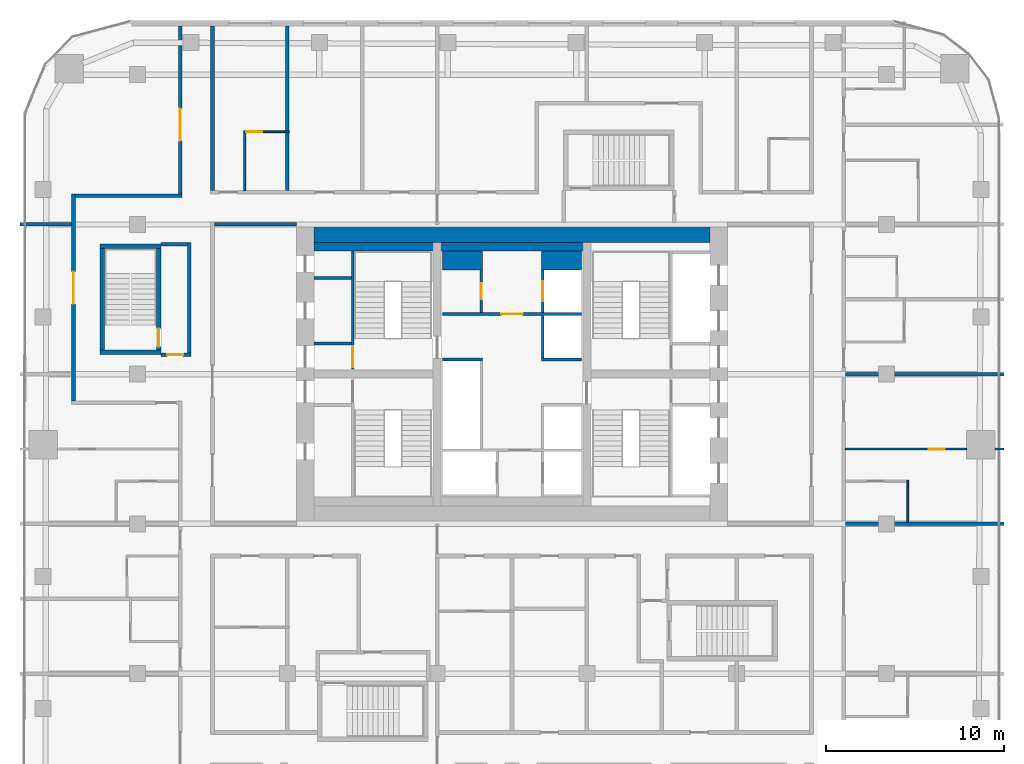
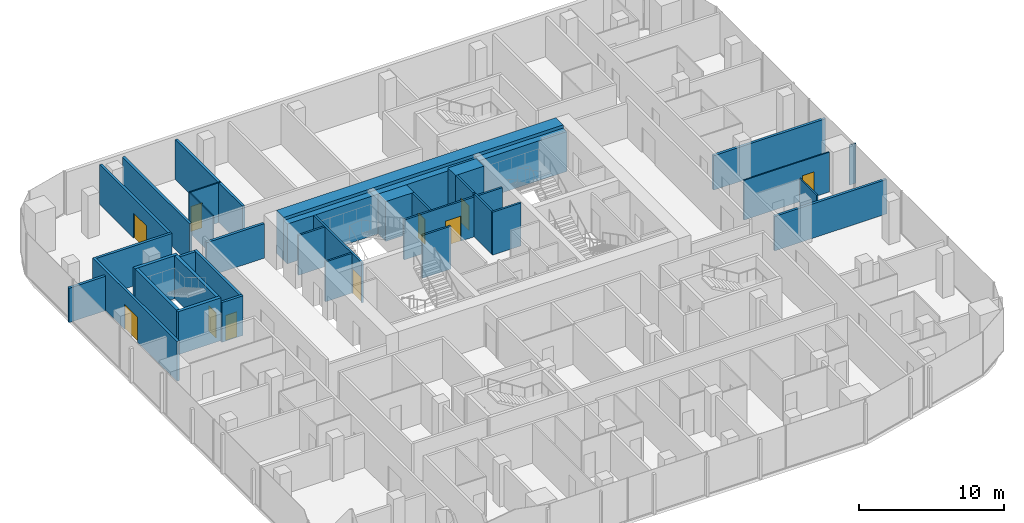
# One storey, part 18 of 23: 34 walls, 10 doors, 10 openings.
"""IFC4 building model written with IfcOpenShell, lengths in metres."""

from ifc_helpers import new_model, si_unit, direction, frame, frame_2d, origin, place, context, subcontext, project, spatial, rectangle, extrude, material, layer, layer_set, type_object, element, fill, save


model = new_model("IFC4")

# Units and contexts
model_context = context("Model", 3, precision=1e-05, world=origin(), true_north=direction((0.0, 1.0)))
body_context = subcontext(model_context, "Body", "Model", "MODEL_VIEW")
ifc_project = project(units=[si_unit("LENGTHUNIT", "METRE"), si_unit("AREAUNIT", "SQUARE_METRE"), si_unit("VOLUMEUNIT", "CUBIC_METRE"), si_unit("PLANEANGLEUNIT", "RADIAN"), si_unit("MASSUNIT", "GRAM", prefix="KILO")], contexts=[model_context])

# Site, building, storey
site_placement = place(None, origin())
site = spatial("IfcSite", under=ifc_project, at=site_placement, CompositionType="ELEMENT")
building_placement = place(site_placement, origin())
building = spatial("IfcBuilding", under=site, at=building_placement, Name="Marenta Gate Hotel Tower", CompositionType="ELEMENT")
storey_placement = place(building_placement, frame((0.0, 0.0, 162.5)))
storey = spatial("IfcBuildingStorey", under=building, at=storey_placement, Name="L38", CompositionType="ELEMENT", Elevation=162.5)

# Walls
ifc_material_1 = material(Name="Concrete blockwork", Category="masonry")
ifc_layer_1 = layer(ifc_material_1, 0.199951171875)
ifc_layer_set_1 = layer_set([ifc_layer_1], Name="Concrete blockwork")
wall_type_1 = type_object("IfcWallType", Name="Core boundary wall 200 REI 180", PredefinedType="PARTITIONING", material=ifc_layer_set_1)
wall_1_placement = place(storey_placement, frame((-16.699951171875, 16.800048828125, 0.0), z_axis=(0.0, 0.0, 1.0), x_axis=(1.0, 0.0, 0.0)))
element("IfcWall", 1, at=wall_1_placement, inside=storey, type_object=wall_type_1, Name="L38-CP-EW-WN", PredefinedType="PARTITIONING", context=body_context, shape_type="SweptSolid", body=[
    extrude(rectangle(XDim=4.599853515625, YDim=0.199951171875, at=frame_2d((2.2998046875, 0.0))), origin(), (0.0, 0.0, 1.0), 2.889892578125),
])
ifc_material_2 = material(Name="Concrete C40", Category="concrete")
ifc_layer_2 = layer(ifc_material_2, 0.5)
ifc_layer_set_2 = layer_set([ifc_layer_2], Name="Concrete C40")
wall_type_2 = type_object("IfcWallType", Name="Core lining wall 500 REI 180", PredefinedType="PARTITIONING", material=ifc_layer_set_2)
wall_2_placement = place(storey_placement, frame((-11.10009765625, 15.550048828125, 0.0), z_axis=(0.0, 0.0, 1.0), x_axis=(1.0, 0.0, 0.0)))
element("IfcWall", 2, at=wall_2_placement, inside=storey, type_object=wall_type_2, Name="L38-CP-LN-N", PredefinedType="PARTITIONING", context=body_context, shape_type="SweptSolid", body=[
    extrude(rectangle(XDim=22.2001953125, YDim=0.5, at=frame_2d((11.10009765625, 0.0))), origin(), (0.0, 0.0, 1.0), 3.340087890625),
])

# Wall, opening, door
ifc_material_3 = material(Name="Concrete blockwork", Category="masonry")
ifc_layer_3 = layer(ifc_material_3, 0.14990234375)
ifc_layer_set_3 = layer_set([ifc_layer_3], Name="Concrete blockwork")
wall_type_3 = type_object("IfcWallType", Name="Core lobby partition 150 REI 180", PredefinedType="PARTITIONING", material=ifc_layer_set_3)
wall_3_placement = place(storey_placement, frame((-3.89990234375, 11.77490234375, 0.0), z_axis=(0.0, 0.0, 1.0), x_axis=(1.0, 0.0, 0.0)))
wall_3 = element("IfcWall", 3, at=wall_3_placement, inside=storey, type_object=wall_type_3, Name="L38-CP-CW-N", PredefinedType="PARTITIONING", context=body_context, shape_type="SweptSolid", body=[
    extrude(rectangle(XDim=7.7998046875, YDim=0.14990234375, at=frame_2d((3.89990234375, 0.0))), origin(), (0.0, 0.0, 1.0), 3.340087890625),
])
opening_1_placement = place(wall_3_placement, frame((3.300048828125, 0.0, 0.0)))
opening_1 = element("IfcOpeningElement", 4, at=opening_1_placement, cuts=wall_3, Name="Opening FD-FFN", PredefinedType="OPENING", context=body_context, shape_type="SweptSolid", body=[
    extrude(rectangle(XDim=1.199951171875, YDim=2.10009765625, at=frame_2d((0.60009765625, 1.050048828125))), frame((0.0, 0.074951171875, 0.0), z_axis=(0.0, -1.0, 0.0), x_axis=(1.0, 0.0, 0.0)), (0.0, 0.0, 1.0), 0.14990234375),
])
ifc_material_4 = material(Name="Steel", Category="steel")
door_type_1 = type_object("IfcDoorType", Name="Core lobby door 1200x2100 FD60", OperationType="SINGLE_SWING_LEFT", PredefinedType="DOOR", material=ifc_material_4)
door_1_placement = place(opening_1_placement, origin())
door_1 = element("IfcDoor", 5, at=door_1_placement, inside=storey, type_object=door_type_1, Name="FD-FFN", OperationType="SINGLE_SWING_LEFT", OverallHeight=2.10009765625, OverallWidth=1.199951171875, PredefinedType="DOOR", context=body_context, shape_type="SweptSolid", body=[
    extrude(rectangle(XDim=1.199951171875, YDim=2.10009765625, at=frame_2d((0.60009765625, 1.050048828125))), frame((0.0, 0.02490234375, 0.0), z_axis=(0.0, -1.0, 0.0), x_axis=(1.0, 0.0, 0.0)), (0.0, 0.0, 1.0), 0.050048828125),
])
fill(opening_1, door_1)

# Walls
ifc_material_5 = material(Name="Concrete blockwork", Category="masonry")
ifc_layer_4 = layer(ifc_material_5, 1.050048828125)
ifc_layer_set_4 = layer_set([ifc_layer_4], Name="Concrete blockwork")
wall_type_4 = type_object("IfcWallType", Name="Core room partition 1050 REI 180", PredefinedType="PARTITIONING", material=ifc_layer_set_4)
wall_4_placement = place(storey_placement, frame((-3.89990234375, 14.77490234375, 0.0), z_axis=(0.0, 0.0, 1.0), x_axis=(1.0, 0.0, 0.0)))
element("IfcWall", 6, at=wall_4_placement, inside=storey, type_object=wall_type_4, Name="L38-CP-CW-W-riser-N", PredefinedType="PARTITIONING", context=body_context, shape_type="SweptSolid", body=[
    extrude(rectangle(XDim=2.25, YDim=1.050048828125, at=frame_2d((1.125, 0.0))), origin(), (0.0, 0.0, 1.0), 3.340087890625),
])
ifc_material_6 = material(Name="Concrete blockwork", Category="masonry")
ifc_layer_5 = layer(ifc_material_6, 0.14990234375)
ifc_layer_set_5 = layer_set([ifc_layer_5], Name="Concrete blockwork")
wall_type_5 = type_object("IfcWallType", Name="Core room partition 150 REI 180", PredefinedType="PARTITIONING", material=ifc_layer_set_5)
for number, where, z_axis, x_axis, name in (
    (7, (-11.10009765625, 10.125, 0.0), (0.0, 0.0, 1.0), (1.0, 0.0, 0.0), "L38-CP-SW-WN-2"),
    (8, (-11.10009765625, 13.800048828125, 0.0), (0.0, 0.0, 1.0), (1.0, 0.0, 0.0), "L38-CP-RW-WN-1"),
):
    element("IfcWall", number, at=place(storey_placement, frame(where, z_axis=z_axis, x_axis=x_axis)), inside=storey, type_object=wall_type_5, Name=name, PredefinedType="PARTITIONING", context=body_context, shape_type="SweptSolid", body=[
        extrude(rectangle(XDim=2.10009765625, YDim=0.14990234375, at=frame_2d((1.050048828125, 0.0))), origin(), (0.0, 0.0, 1.0), 3.340087890625),
    ])

# Wall, opening, door
wall_5_placement = place(storey_placement, frame((-1.72509765625, 11.85009765625, 0.0), z_axis=(0.0, 0.0, 1.0), x_axis=(0.0, 1.0, 0.0)))
wall_5 = element("IfcWall", 9, at=wall_5_placement, inside=storey, type_object=wall_type_5, Name="L38-CP-CW-W-riser-front", PredefinedType="PARTITIONING", context=body_context, shape_type="SweptSolid", body=[
    extrude(rectangle(XDim=2.39990234375, YDim=0.14990234375, at=frame_2d((1.199951171875, 0.0))), origin(), (0.0, 0.0, 1.0), 3.340087890625),
])
opening_2_placement = place(wall_5_placement, frame((0.75, 0.0, 0.0)))
opening_2 = element("IfcOpeningElement", 10, at=opening_2_placement, cuts=wall_5, Name="Opening RD-CRISER", PredefinedType="OPENING", context=body_context, shape_type="SweptSolid", body=[
    extrude(rectangle(XDim=0.89990234375, YDim=2.10009765625, at=frame_2d((0.449951171875, 1.050048828125))), frame((0.0, 0.074951171875, 0.0), z_axis=(0.0, -1.0, 0.0), x_axis=(1.0, 0.0, 0.0)), (0.0, 0.0, 1.0), 0.14990234375),
])
ifc_material_7 = material(Name="Steel", Category="steel")
door_type_2 = type_object("IfcDoorType", Name="Core riser door 900x2100 FD60", OperationType="SINGLE_SWING_LEFT", PredefinedType="DOOR", material=ifc_material_7)
door_2_placement = place(opening_2_placement, origin())
door_2 = element("IfcDoor", 11, at=door_2_placement, inside=storey, type_object=door_type_2, Name="RD-CRISER", OperationType="SINGLE_SWING_LEFT", OverallHeight=2.10009765625, OverallWidth=0.89990234375, PredefinedType="DOOR", context=body_context, shape_type="SweptSolid", body=[
    extrude(rectangle(XDim=0.89990234375, YDim=2.10009765625, at=frame_2d((0.449951171875, 1.050048828125))), frame((0.0, 0.02490234375, 0.0), z_axis=(0.0, -1.0, 0.0), x_axis=(1.0, 0.0, 0.0)), (0.0, 0.0, 1.0), 0.050048828125),
])
fill(opening_2, door_2)

# Walls
ifc_material_8 = material(Name="Concrete C40", Category="concrete")
ifc_layer_6 = layer(ifc_material_8, 1.050048828125)
ifc_layer_set_6 = layer_set([ifc_layer_6], Name="Concrete C40")
wall_type_6 = type_object("IfcWallType", Name="Core shaft wall 1050 REI 180", PredefinedType="SHEAR", material=ifc_layer_set_6)
wall_6_placement = place(storey_placement, frame((1.64990234375, 14.77490234375, 0.0), z_axis=(0.0, 0.0, 1.0), x_axis=(1.0, 0.0, 0.0)))
element("IfcWall", 12, at=wall_6_placement, inside=storey, type_object=wall_type_6, Name="L38-SHF-CE-N-top", PredefinedType="SHEAR", context=body_context, shape_type="SweptSolid", body=[
    extrude(rectangle(XDim=2.25, YDim=1.050048828125, at=frame_2d((1.125, 0.0))), origin(), (0.0, 0.0, 1.0), 3.60009765625),
])
ifc_material_9 = material(Name="Concrete C40", Category="concrete")
ifc_layer_7 = layer(ifc_material_9, 0.14990234375)
ifc_layer_set_7 = layer_set([ifc_layer_7], Name="Concrete C40")
wall_type_7 = type_object("IfcWallType", Name="Core shaft wall 150 REI 180", PredefinedType="SHEAR", material=ifc_layer_set_7)
wall_7_placement = place(storey_placement, frame((-3.89990234375, 9.22509765625, 0.0), z_axis=(0.0, 0.0, 1.0), x_axis=(1.0, 0.0, 0.0)))
element("IfcWall", 13, at=wall_7_placement, inside=storey, type_object=wall_type_7, Name="L38-SHF-CW-W-sep", PredefinedType="SHEAR", context=body_context, shape_type="SweptSolid", body=[
    extrude(rectangle(XDim=2.25, YDim=0.14990234375, at=frame_2d((1.125, 0.0))), origin(), (0.0, 0.0, 1.0), 3.60009765625),
])

# Wall, opening, door
wall_8_placement = place(storey_placement, frame((1.72509765625, 11.85009765625, 0.0), z_axis=(0.0, 0.0, 1.0), x_axis=(0.0, 1.0, 0.0)))
wall_8 = element("IfcWall", 14, at=wall_8_placement, inside=storey, type_object=wall_type_7, Name="L38-SHF-CE-N-front2", PredefinedType="SHEAR", context=body_context, shape_type="SweptSolid", body=[
    extrude(rectangle(XDim=2.39990234375, YDim=0.14990234375, at=frame_2d((1.199951171875, 0.0))), origin(), (0.0, 0.0, 1.0), 3.60009765625),
])
opening_3_placement = place(wall_8_placement, frame((0.64990234375, 0.0, 0.0)))
opening_3 = element("IfcOpeningElement", 15, at=opening_3_placement, cuts=wall_8, Name="Opening LD-FF2", PredefinedType="OPENING", context=body_context, shape_type="SweptSolid", body=[
    extrude(rectangle(XDim=1.10009765625, YDim=2.10009765625, at=frame_2d((0.550048828125, 1.050048828125))), frame((0.0, 0.074951171875, 0.0), z_axis=(0.0, -1.0, 0.0), x_axis=(1.0, 0.0, 0.0)), (0.0, 0.0, 1.0), 0.14990234375),
])
ifc_material_10 = material(Name="Steel", Category="steel")
door_type_3 = type_object("IfcDoorType", Name="Core lift landing door 1100x2100 E 60", OperationType="SLIDING_TO_LEFT", PredefinedType="DOOR", material=ifc_material_10)
door_3_placement = place(opening_3_placement, origin())
door_3 = element("IfcDoor", 16, at=door_3_placement, inside=storey, type_object=door_type_3, Name="LD-FF2", OperationType="SLIDING_TO_LEFT", OverallHeight=2.10009765625, OverallWidth=1.10009765625, PredefinedType="DOOR", context=body_context, shape_type="SweptSolid", body=[
    extrude(rectangle(XDim=1.10009765625, YDim=2.10009765625, at=frame_2d((0.550048828125, 1.050048828125))), frame((0.0, 0.02490234375, 0.0), z_axis=(0.0, -1.0, 0.0), x_axis=(1.0, 0.0, 0.0)), (0.0, 0.0, 1.0), 0.050048828125),
])
fill(opening_3, door_3)

# Walls
wall_9_placement = place(storey_placement, frame((1.64990234375, 9.22509765625, 0.0), z_axis=(0.0, 0.0, 1.0), x_axis=(1.0, 0.0, 0.0)))
element("IfcWall", 17, at=wall_9_placement, inside=storey, type_object=wall_type_7, Name="L38-SHF-CE-sep2", PredefinedType="SHEAR", context=body_context, shape_type="SweptSolid", body=[
    extrude(rectangle(XDim=2.25, YDim=0.14990234375, at=frame_2d((1.125, 0.0))), origin(), (0.0, 0.0, 1.0), 3.60009765625),
])
wall_10_placement = place(storey_placement, frame((1.72509765625, 9.300048828125, 0.0), z_axis=(0.0, 0.0, 1.0), x_axis=(0.0, 1.0, 0.0)))
element("IfcWall", 18, at=wall_10_placement, inside=storey, type_object=wall_type_7, Name="L38-SHF-CE-front-2", PredefinedType="SHEAR", context=body_context, shape_type="SweptSolid", body=[
    extrude(rectangle(XDim=2.39990234375, YDim=0.14990234375, at=frame_2d((1.199951171875, 0.0))), origin(), (0.0, 0.0, 1.0), 3.60009765625),
])

# Wall, opening, door
ifc_material_11 = material(Name="Concrete C40", Category="concrete")
ifc_layer_8 = layer(ifc_material_11, 0.14990234375)
ifc_layer_set_8 = layer_set([ifc_layer_8], Name="Concrete C40")
wall_type_8 = type_object("IfcWallType", Name="Core stair enclosure wall 150 REI 180", PredefinedType="SHEAR", material=ifc_layer_set_8)
wall_11_placement = place(storey_placement, frame((-8.925048828125, 8.699951171875, 0.0), z_axis=(0.0, 0.0, 1.0), x_axis=(0.0, 1.0, 0.0)))
wall_11 = element("IfcWall", 19, at=wall_11_placement, inside=storey, type_object=wall_type_8, Name="L38-SHF-SW-WN-3", PredefinedType="SHEAR", context=body_context, shape_type="SweptSolid", body=[
    extrude(rectangle(XDim=6.60009765625, YDim=0.14990234375, at=frame_2d((3.300048828125, 0.0))), origin(), (0.0, 0.0, 1.0), 3.340087890625),
])
opening_4_placement = place(wall_11_placement, frame((0.074951171875, 0.0, 0.0)))
opening_4 = element("IfcOpeningElement", 20, at=opening_4_placement, cuts=wall_11, Name="Opening SD-WN", PredefinedType="OPENING", context=body_context, shape_type="SweptSolid", body=[
    extrude(rectangle(XDim=1.199951171875, YDim=2.10009765625, at=frame_2d((0.60009765625, 1.050048828125))), frame((0.0, 0.074951171875, 0.0), z_axis=(0.0, -1.0, 0.0), x_axis=(1.0, 0.0, 0.0)), (0.0, 0.0, 1.0), 0.14990234375),
])
ifc_material_12 = material(Name="Steel", Category="steel")
door_type_4 = type_object("IfcDoorType", Name="Core stair door 1200x2100 FD60", OperationType="SINGLE_SWING_LEFT", PredefinedType="DOOR", material=ifc_material_12)
door_4_placement = place(opening_4_placement, origin())
door_4 = element("IfcDoor", 21, at=door_4_placement, inside=storey, type_object=door_type_4, Name="SD-WN", OperationType="SINGLE_SWING_LEFT", OverallHeight=2.10009765625, OverallWidth=1.199951171875, PredefinedType="DOOR", context=body_context, shape_type="SweptSolid", body=[
    extrude(rectangle(XDim=1.199951171875, YDim=2.10009765625, at=frame_2d((0.60009765625, 1.050048828125))), frame((0.0, 0.02490234375, 0.0), z_axis=(0.0, -1.0, 0.0), x_axis=(1.0, 0.0, 0.0)), (0.0, 0.0, 1.0), 0.050048828125),
])
fill(opening_4, door_4)

# Walls
ifc_material_13 = material(Name="Concrete C70", Category="concrete")
ifc_layer_9 = layer(ifc_material_13, 1.0)
ifc_layer_set_9 = layer_set([ifc_layer_9], Name="Concrete C70")
wall_type_9 = type_object("IfcWallType", Name="Core wall 1000 C70", PredefinedType="SHEAR", material=ifc_layer_set_9)
wall_12_placement = place(storey_placement, frame((-11.10009765625, 16.300048828125, 0.0), z_axis=(0.0, 0.0, 1.0), x_axis=(1.0, 0.0, 0.0)))
element("IfcWall", 22, at=wall_12_placement, inside=storey, type_object=wall_type_9, Name="L38-CORE-N", PredefinedType="SHEAR", context=body_context, shape_type="SweptSolid", body=[
    extrude(rectangle(XDim=22.2001953125, YDim=1.0, at=frame_2d((11.10009765625, 0.0))), origin(), (0.0, 0.0, 1.0), 3.60009765625),
])
ifc_material_14 = material(Name="Concrete C40", Category="concrete")
ifc_layer_10 = layer(ifc_material_14, 0.25)
ifc_layer_set_10 = layer_set([ifc_layer_10], Name="Concrete C40")
wall_type_10 = type_object("IfcWallType", Name="Remote stair enclosure wall 250 REI 180", PredefinedType="SHEAR", material=ifc_layer_set_10)
for number, where, z_axis, x_axis, name in (
    (23, (-23.10009765625, 9.625, 0.10009765625), (0.0, 0.0, 1.0), (1.0, 0.0, 0.0), "L38-RS-Z1-3-W1"),
    (24, (-23.10009765625, 15.574951171875, 0.10009765625), (0.0, 0.0, 1.0), (1.0, 0.0, 0.0), "L38-RS-Z1-3-W2"),
):
    element("IfcWall", number, at=place(storey_placement, frame(where, z_axis=z_axis, x_axis=x_axis)), inside=storey, type_object=wall_type_10, Name=name, PredefinedType="SHEAR", context=body_context, shape_type="SweptSolid", body=[
        extrude(rectangle(XDim=3.400146484375, YDim=0.25, at=frame_2d((1.7001953125, 0.0))), origin(), (0.0, 0.0, 1.0), 3.599853515625),
    ])
wall_13_placement = place(storey_placement, frame((-22.97509765625, 9.75, 0.10009765625), z_axis=(0.0, 0.0, 1.0), x_axis=(0.0, 1.0, 0.0)))
element("IfcWall", 25, at=wall_13_placement, inside=storey, type_object=wall_type_10, Name="L38-RS-Z1-3-W3", PredefinedType="SHEAR", context=body_context, shape_type="SweptSolid", body=[
    extrude(rectangle(XDim=5.699951171875, YDim=0.25, at=frame_2d((2.85009765625, 0.0))), origin(), (0.0, 0.0, 1.0), 3.599853515625),
])

# Wall, opening, door
wall_14_placement = place(storey_placement, frame((-19.824951171875, 9.75, 0.10009765625), z_axis=(0.0, 0.0, 1.0), x_axis=(0.0, 1.0, 0.0)))
wall_14 = element("IfcWall", 26, at=wall_14_placement, inside=storey, type_object=wall_type_10, Name="L38-RS-Z1-3-W4", PredefinedType="SHEAR", context=body_context, shape_type="SweptSolid", body=[
    extrude(rectangle(XDim=5.699951171875, YDim=0.25, at=frame_2d((2.85009765625, 0.0))), origin(), (0.0, 0.0, 1.0), 3.599853515625),
])
opening_5_placement = place(wall_14_placement, frame((0.199951171875, 0.0, 0.0)))
opening_5 = element("IfcOpeningElement", 27, at=opening_5_placement, cuts=wall_14, Name="Opening VD", PredefinedType="OPENING", context=body_context, shape_type="SweptSolid", body=[
    extrude(rectangle(XDim=1.0, YDim=2.10009765625, at=frame_2d((0.5, 1.050048828125))), frame((0.0, 0.125, 0.0), z_axis=(0.0, -1.0, 0.0), x_axis=(1.0, 0.0, 0.0)), (0.0, 0.0, 1.0), 0.25),
])
ifc_material_15 = material(Name="Steel", Category="steel")
door_type_5 = type_object("IfcDoorType", Name="Stair vestibule door 1000x2100 FD60", OperationType="SINGLE_SWING_LEFT", PredefinedType="DOOR", material=ifc_material_15)
door_5_placement = place(opening_5_placement, origin())
door_5 = element("IfcDoor", 28, at=door_5_placement, inside=storey, type_object=door_type_5, Name="VD", OperationType="SINGLE_SWING_LEFT", OverallHeight=2.10009765625, OverallWidth=1.0, PredefinedType="DOOR", context=body_context, shape_type="SweptSolid", body=[
    extrude(rectangle(XDim=1.0, YDim=2.10009765625, at=frame_2d((0.5, 1.050048828125))), frame((0.0, 0.02490234375, 0.0), z_axis=(0.0, -1.0, 0.0), x_axis=(1.0, 0.0, 0.0)), (0.0, 0.0, 1.0), 0.050048828125),
])
fill(opening_5, door_5)

# Walls
ifc_material_16 = material(Name="Gypsum board on steel stud", Category="steel")
ifc_layer_11 = layer(ifc_material_16, 0.199951171875)
ifc_layer_set_11 = layer_set([ifc_layer_11], Name="Gypsum board on steel stud")
wall_type_11 = type_object("IfcWallType", Name="Room corridor wall 200 EI 60", PredefinedType="PARTITIONING", material=ifc_layer_set_11)
wall_15_placement = place(storey_placement, frame((-16.800048828125, 18.699951171875, 0.0), z_axis=(0.0, 0.0, 1.0), x_axis=(0.0, 1.0, 0.0)))
element("IfcWall", 29, at=wall_15_placement, inside=storey, type_object=wall_type_11, Name="L38-PTN-W098", PredefinedType="PARTITIONING", context=body_context, shape_type="SweptSolid", body=[
    extrude(rectangle(XDim=9.239990234375, YDim=0.199951171875, at=frame_2d((4.6201171875, 0.0))), origin(), (0.0, 0.0, 1.0), 3.340087890625),
])
wall_16_placement = place(storey_placement, frame((-24.5, 18.39990234375, 0.0), z_axis=(0.0, 0.0, 1.0), x_axis=(1.0, 0.0, 0.0)))
element("IfcWall", 30, at=wall_16_placement, inside=storey, type_object=wall_type_11, Name="L38-PTN-W102", PredefinedType="PARTITIONING", context=body_context, shape_type="SweptSolid", body=[
    extrude(rectangle(XDim=6.0, YDim=0.199951171875, at=frame_2d((3.0, 0.0))), origin(), (0.0, 0.0, 1.0), 3.340087890625),
])

# Wall, opening, door
wall_17_placement = place(storey_placement, frame((-18.60009765625, 18.5, 0.0), z_axis=(0.0, 0.0, 1.0), x_axis=(0.0, 1.0, 0.0)))
wall_17 = element("IfcWall", 31, at=wall_17_placement, inside=storey, type_object=wall_type_11, Name="L38-PTN-W104", PredefinedType="PARTITIONING", context=body_context, shape_type="SweptSolid", body=[
    extrude(rectangle(XDim=9.43994140625, YDim=0.199951171875, at=frame_2d((4.719970703125, 0.0))), origin(), (0.0, 0.0, 1.0), 3.340087890625),
])
opening_6_placement = place(wall_17_placement, frame((3.0, 0.0, 0.0)))
opening_6 = element("IfcOpeningElement", 32, at=opening_6_placement, cuts=wall_17, Name="Opening G14-54", PredefinedType="OPENING", context=body_context, shape_type="SweptSolid", body=[
    extrude(rectangle(XDim=1.800048828125, YDim=2.10009765625, at=frame_2d((0.89990234375, 1.050048828125))), frame((0.0, 0.10009765625, 0.0), z_axis=(0.0, -1.0, 0.0), x_axis=(1.0, 0.0, 0.0)), (0.0, 0.0, 1.0), 0.199951171875),
])
ifc_material_17 = material(Name="Timber door leaf", Category="wood")
door_type_6 = type_object("IfcDoorType", Name="Room amenity door 1800x2100 EI 30", OperationType="DOUBLE_DOOR_SINGLE_SWING", PredefinedType="DOOR", material=ifc_material_17)
door_6_placement = place(opening_6_placement, origin())
door_6 = element("IfcDoor", 33, at=door_6_placement, inside=storey, type_object=door_type_6, Name="L38-PD-D054", OperationType="DOUBLE_DOOR_SINGLE_SWING", OverallHeight=2.10009765625, OverallWidth=1.800048828125, PredefinedType="DOOR", context=body_context, shape_type="SweptSolid", body=[
    extrude(rectangle(XDim=1.800048828125, YDim=2.10009765625, at=frame_2d((0.89990234375, 1.050048828125))), frame((0.0, 0.02490234375, 0.0), z_axis=(0.0, -1.0, 0.0), x_axis=(1.0, 0.0, 0.0)), (0.0, 0.0, 1.0), 0.050048828125),
])
fill(opening_6, door_6)

wall_18_placement = place(storey_placement, frame((-24.60009765625, 6.89990234375, 0.0), z_axis=(0.0, 0.0, 1.0), x_axis=(0.0, 1.0, 0.0)))
wall_18 = element("IfcWall", 34, at=wall_18_placement, inside=storey, type_object=wall_type_11, Name="L38-PTN-W116", PredefinedType="PARTITIONING", context=body_context, shape_type="SweptSolid", body=[
    extrude(rectangle(XDim=11.60009765625, YDim=0.199951171875, at=frame_2d((5.800048828125, 0.0))), origin(), (0.0, 0.0, 1.0), 3.340087890625),
])
opening_7_placement = place(wall_18_placement, frame((5.449951171875, 0.0, 0.0)))
opening_7 = element("IfcOpeningElement", 35, at=opening_7_placement, cuts=wall_18, Name="Opening G14-53", PredefinedType="OPENING", context=body_context, shape_type="SweptSolid", body=[
    extrude(rectangle(XDim=1.800048828125, YDim=2.10009765625, at=frame_2d((0.89990234375, 1.050048828125))), frame((0.0, 0.10009765625, 0.0), z_axis=(0.0, -1.0, 0.0), x_axis=(1.0, 0.0, 0.0)), (0.0, 0.0, 1.0), 0.199951171875),
])
door_7_placement = place(opening_7_placement, origin())
door_7 = element("IfcDoor", 36, at=door_7_placement, inside=storey, type_object=door_type_6, Name="L38-PD-D053", OperationType="DOUBLE_DOOR_SINGLE_SWING", OverallHeight=2.10009765625, OverallWidth=1.800048828125, PredefinedType="DOOR", context=body_context, shape_type="SweptSolid", body=[
    extrude(rectangle(XDim=1.800048828125, YDim=2.10009765625, at=frame_2d((0.89990234375, 1.050048828125))), frame((0.0, 0.02490234375, 0.0), z_axis=(0.0, -1.0, 0.0), x_axis=(1.0, 0.0, 0.0)), (0.0, 0.0, 1.0), 0.050048828125),
])
fill(opening_7, door_7)

ifc_material_18 = material(Name="Concrete blockwork", Category="masonry")
ifc_layer_12 = layer(ifc_material_18, 0.199951171875)
ifc_layer_set_12 = layer_set([ifc_layer_12], Name="Concrete blockwork")
wall_type_12 = type_object("IfcWallType", Name="Room corridor wall 200 REI 180", PredefinedType="PARTITIONING", material=ifc_layer_set_12)
wall_19_placement = place(storey_placement, frame((-19.699951171875, 9.5, 0.0), z_axis=(0.0, 0.0, 1.0), x_axis=(1.0, 0.0, 0.0)))
wall_19 = element("IfcWall", 37, at=wall_19_placement, inside=storey, type_object=wall_type_12, Name="L38-PTN-W085", PredefinedType="PARTITIONING", context=body_context, shape_type="SweptSolid", body=[
    extrude(rectangle(XDim=1.699951171875, YDim=0.199951171875, at=frame_2d((0.85009765625, 0.0))), origin(), (0.0, 0.0, 1.0), 3.340087890625),
])
opening_8_placement = place(wall_19_placement, frame((0.35009765625, 0.0, 0.0)))
opening_8 = element("IfcOpeningElement", 38, at=opening_8_placement, cuts=wall_19, Name="Opening G14-55", PredefinedType="OPENING", context=body_context, shape_type="SweptSolid", body=[
    extrude(rectangle(XDim=0.89990234375, YDim=2.10009765625, at=frame_2d((0.449951171875, 1.050048828125))), frame((0.0, 0.10009765625, 0.0), z_axis=(0.0, -1.0, 0.0), x_axis=(1.0, 0.0, 0.0)), (0.0, 0.0, 1.0), 0.199951171875),
])
ifc_material_19 = material(Name="Hollow steel door set", Category="steel")
door_type_7 = type_object("IfcDoorType", Name="Stair vestibule door 900x2100 EI 60", OperationType="NOTDEFINED", PredefinedType="DOOR", material=ifc_material_19)
door_8_placement = place(opening_8_placement, origin())
door_8 = element("IfcDoor", 39, at=door_8_placement, inside=storey, type_object=door_type_7, Name="L38-PD-D055", OperationType="SINGLE_SWING_RIGHT", OverallHeight=2.10009765625, OverallWidth=0.89990234375, PredefinedType="DOOR", context=body_context, shape_type="SweptSolid", body=[
    extrude(rectangle(XDim=0.89990234375, YDim=2.10009765625, at=frame_2d((0.449951171875, 1.050048828125))), frame((0.0, 0.02490234375, 0.0), z_axis=(0.0, -1.0, 0.0), x_axis=(1.0, 0.0, 0.0)), (0.0, 0.0, 1.0), 0.050048828125),
])
fill(opening_8, door_8)

# Walls
wall_20_placement = place(storey_placement, frame((-19.699951171875, 15.699951171875, 0.0), z_axis=(0.0, 0.0, 1.0), x_axis=(1.0, 0.0, 0.0)))
element("IfcWall", 40, at=wall_20_placement, inside=storey, type_object=wall_type_12, Name="L38-PTN-W095", PredefinedType="PARTITIONING", context=body_context, shape_type="SweptSolid", body=[
    extrude(rectangle(XDim=1.5, YDim=0.199951171875, at=frame_2d((0.75, 0.0))), origin(), (0.0, 0.0, 1.0), 3.340087890625),
])
wall_21_placement = place(storey_placement, frame((-18.10009765625, 9.60009765625, 0.0), z_axis=(0.0, 0.0, 1.0), x_axis=(0.0, 1.0, 0.0)))
element("IfcWall", 41, at=wall_21_placement, inside=storey, type_object=wall_type_12, Name="L38-PTN-W101", PredefinedType="PARTITIONING", context=body_context, shape_type="SweptSolid", body=[
    extrude(rectangle(XDim=6.199951171875, YDim=0.199951171875, at=frame_2d((3.10009765625, 0.0))), origin(), (0.0, 0.0, 1.0), 3.340087890625),
])
ifc_material_20 = material(Name="Gypsum board on steel stud", Category="steel")
ifc_layer_13 = layer(ifc_material_20, 0.10009765625)
ifc_layer_set_13 = layer_set([ifc_layer_13], Name="Gypsum board on steel stud")
wall_type_13 = type_object("IfcWallType", Name="Room partition 100", PredefinedType="PARTITIONING", material=ifc_layer_set_13)
wall_22_placement = place(storey_placement, frame((22.199951171875, 0.10009765625, 0.0), z_axis=(0.0, 0.0, 1.0), x_axis=(0.0, 1.0, 0.0)))
element("IfcWall", 42, at=wall_22_placement, inside=storey, type_object=wall_type_13, Name="L38-PTN-W004", PredefinedType="PARTITIONING", context=body_context, shape_type="SweptSolid", body=[
    extrude(rectangle(XDim=2.349853515625, YDim=0.10009765625, at=frame_2d((1.1748046875, 0.0))), origin(), (0.0, 0.0, 1.0), 3.340087890625),
])

# Wall, opening, door
wall_23_placement = place(storey_placement, frame((18.699951171875, 4.199951171875, 0.0), z_axis=(0.0, 0.0, 1.0), x_axis=(1.0, 0.0, 0.0)))
wall_23 = element("IfcWall", 43, at=wall_23_placement, inside=storey, type_object=wall_type_13, Name="L38-PTN-W076", PredefinedType="PARTITIONING", context=body_context, shape_type="SweptSolid", body=[
    extrude(rectangle(XDim=6.800048828125, YDim=0.10009765625, at=frame_2d((3.39990234375, 0.0))), origin(), (0.0, 0.0, 1.0), 3.340087890625),
])
opening_9_placement = place(wall_23_placement, frame((4.669921875, 0.0, 0.0)))
opening_9 = element("IfcOpeningElement", 44, at=opening_9_placement, cuts=wall_23, Name="Opening G14-15", PredefinedType="OPENING", context=body_context, shape_type="SweptSolid", body=[
    extrude(rectangle(XDim=0.89990234375, YDim=2.10009765625, at=frame_2d((0.449951171875, 1.050048828125))), frame((0.0, 0.050048828125, 0.0), z_axis=(0.0, -1.0, 0.0), x_axis=(1.0, 0.0, 0.0)), (0.0, 0.0, 1.0), 0.10009765625),
])
ifc_material_21 = material(Name="Timber door leaf", Category="wood")
door_type_8 = type_object("IfcDoorType", Name="Room inner door 900x2100", OperationType="NOTDEFINED", PredefinedType="DOOR", material=ifc_material_21)
door_9_placement = place(opening_9_placement, origin())
door_9 = element("IfcDoor", 45, at=door_9_placement, inside=storey, type_object=door_type_8, Name="L38-PD-D015", OperationType="SINGLE_SWING_LEFT", OverallHeight=2.10009765625, OverallWidth=0.89990234375, PredefinedType="DOOR", context=body_context, shape_type="SweptSolid", body=[
    extrude(rectangle(XDim=0.89990234375, YDim=2.10009765625, at=frame_2d((0.449951171875, 1.050048828125))), frame((0.0, 0.02490234375, 0.0), z_axis=(0.0, -1.0, 0.0), x_axis=(1.0, 0.0, 0.0)), (0.0, 0.0, 1.0), 0.050048828125),
])
fill(opening_9, door_9)

# Walls
wall_24_placement = place(storey_placement, frame((27.10009765625, 4.199951171875, 0.0), z_axis=(0.0, 0.0, 1.0), x_axis=(1.0, 0.0, 0.0)))
element("IfcWall", 46, at=wall_24_placement, inside=storey, type_object=wall_type_13, Name="L38-PTN-W122", PredefinedType="PARTITIONING", context=body_context, shape_type="SweptSolid", body=[
    extrude(rectangle(XDim=0.5, YDim=0.10009765625, at=frame_2d((0.25, 0.0))), origin(), (0.0, 0.0, 1.0), 3.340087890625),
])
wall_25_placement = place(storey_placement, frame((-15.0, 18.699951171875, 0.0), z_axis=(0.0, 0.0, 1.0), x_axis=(0.0, 1.0, 0.0)))
element("IfcWall", 47, at=wall_25_placement, inside=storey, type_object=wall_type_13, Name="L38-PTN-W093", PredefinedType="PARTITIONING", context=body_context, shape_type="SweptSolid", body=[
    extrude(rectangle(XDim=3.25, YDim=0.10009765625, at=frame_2d((1.625, 0.0))), origin(), (0.0, 0.0, 1.0), 3.340087890625),
])

# Wall, opening, door
wall_26_placement = place(storey_placement, frame((-15.050048828125, 22.0, 0.0), z_axis=(0.0, 0.0, 1.0), x_axis=(1.0, 0.0, 0.0)))
wall_26 = element("IfcWall", 48, at=wall_26_placement, inside=storey, type_object=wall_type_13, Name="L38-PTN-W111", PredefinedType="PARTITIONING", context=body_context, shape_type="SweptSolid", body=[
    extrude(rectangle(XDim=2.550048828125, YDim=0.10009765625, at=frame_2d((1.27490234375, 0.0))), origin(), (0.0, 0.0, 1.0), 3.340087890625),
])
opening_10_placement = place(wall_26_placement, frame((0.14990234375, 0.0, 0.0)))
opening_10 = element("IfcOpeningElement", 49, at=opening_10_placement, cuts=wall_26, Name="Opening G14-26", PredefinedType="OPENING", context=body_context, shape_type="SweptSolid", body=[
    extrude(rectangle(XDim=0.89990234375, YDim=2.10009765625, at=frame_2d((0.449951171875, 1.050048828125))), frame((0.0, 0.050048828125, 0.0), z_axis=(0.0, -1.0, 0.0), x_axis=(1.0, 0.0, 0.0)), (0.0, 0.0, 1.0), 0.10009765625),
])
ifc_material_22 = material(Name="Timber door leaf", Category="wood")
door_type_9 = type_object("IfcDoorType", Name="Guest bathroom door 900x2100", OperationType="NOTDEFINED", PredefinedType="DOOR", material=ifc_material_22)
door_10_placement = place(opening_10_placement, origin())
door_10 = element("IfcDoor", 50, at=door_10_placement, inside=storey, type_object=door_type_9, Name="L38-PD-D026", OperationType="SINGLE_SWING_RIGHT", OverallHeight=2.10009765625, OverallWidth=0.89990234375, PredefinedType="DOOR", context=body_context, shape_type="SweptSolid", body=[
    extrude(rectangle(XDim=0.89990234375, YDim=2.10009765625, at=frame_2d((0.449951171875, 1.050048828125))), frame((0.0, 0.02490234375, 0.0), z_axis=(0.0, -1.0, 0.0), x_axis=(1.0, 0.0, 0.0)), (0.0, 0.0, 1.0), 0.050048828125),
])
fill(opening_10, door_10)

# Walls
ifc_material_23 = material(Name="Gypsum board on steel stud", Category="steel")
ifc_layer_14 = layer(ifc_material_23, 0.199951171875)
ifc_layer_set_14 = layer_set([ifc_layer_14], Name="Gypsum board on steel stud")
wall_type_14 = type_object("IfcWallType", Name="Room party wall 200 EI 60", PredefinedType="PARTITIONING", material=ifc_layer_set_14)
for number, where, z_axis, x_axis, name in (
    (51, (18.699951171875, 0.0, 0.0), (0.0, 0.0, 1.0), (1.0, 0.0, 0.0), "L38-PTN-W068"),
    (52, (18.699951171875, 8.39990234375, 0.0), (0.0, 0.0, 1.0), (1.0, 0.0, 0.0), "L38-PTN-W083"),
):
    element("IfcWall", number, at=place(storey_placement, frame(where, z_axis=z_axis, x_axis=x_axis)), inside=storey, type_object=wall_type_14, Name=name, PredefinedType="PARTITIONING", context=body_context, shape_type="SweptSolid", body=[
        extrude(rectangle(XDim=8.900146484375, YDim=0.199951171875, at=frame_2d((4.4501953125, 0.0))), origin(), (0.0, 0.0, 1.0), 2.889892578125),
    ])
wall_27_placement = place(storey_placement, frame((-12.60009765625, 18.699951171875, 0.0), z_axis=(0.0, 0.0, 1.0), x_axis=(0.0, 1.0, 0.0)))
element("IfcWall", 53, at=wall_27_placement, inside=storey, type_object=wall_type_14, Name="L38-PTN-W090", PredefinedType="PARTITIONING", context=body_context, shape_type="SweptSolid", body=[
    extrude(rectangle(XDim=9.239990234375, YDim=0.199951171875, at=frame_2d((4.6201171875, 0.0))), origin(), (0.0, 0.0, 1.0), 3.340087890625),
])
wall_28_placement = place(storey_placement, frame((-27.60009765625, 16.800048828125, 0.0), z_axis=(0.0, 0.0, 1.0), x_axis=(1.0, 0.0, 0.0)))
element("IfcWall", 54, at=wall_28_placement, inside=storey, type_object=wall_type_14, Name="L38-PTN-W099", PredefinedType="PARTITIONING", context=body_context, shape_type="SweptSolid", body=[
    extrude(rectangle(XDim=2.900146484375, YDim=0.199951171875, at=frame_2d((1.4501953125, 0.0))), origin(), (0.0, 0.0, 1.0), 2.889892578125),
])

save(model, "model.ifc")
